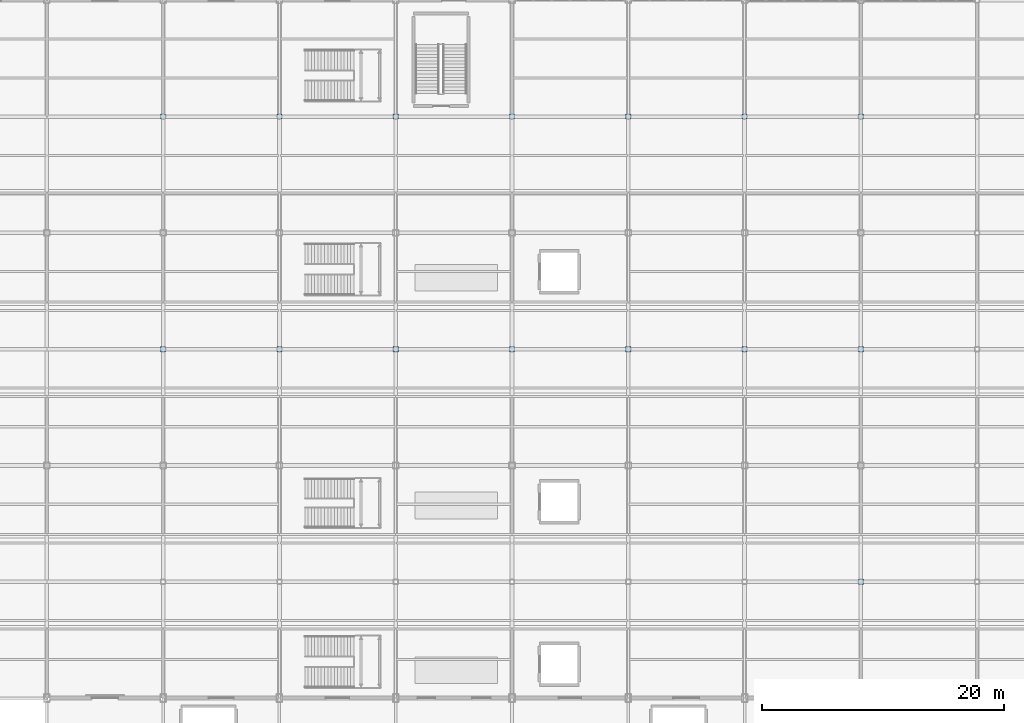
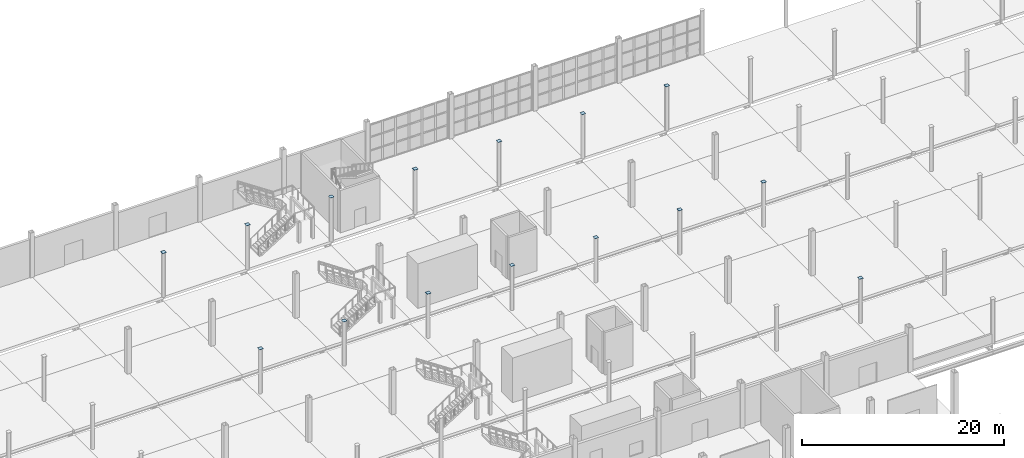
# One storey, part 60 of 85: 15 plates.
"""IFC4 building model written with IfcOpenShell, lengths in metres."""

from ifc_helpers import new_model, si_unit, direction, frame, origin, origin_2d, place, context, subcontext, project, spatial, rectangle, extrude, material, layer, layer_set, type_object, element, save


model = new_model("IFC4")

# Units and contexts
model_context = context("Model", 3, precision=1e-05, world=origin(), true_north=direction((0.0, 1.0)))
body_context = subcontext(model_context, "Body", "Model", "MODEL_VIEW")
ifc_project = project(units=[si_unit("LENGTHUNIT", "METRE"), si_unit("AREAUNIT", "SQUARE_METRE"), si_unit("VOLUMEUNIT", "CUBIC_METRE"), si_unit("PLANEANGLEUNIT", "RADIAN"), si_unit("MASSUNIT", "GRAM", prefix="KILO")], contexts=[model_context])

# Site, building, storey
site_placement = place(None, origin())
site = spatial("IfcSite", under=ifc_project, at=site_placement, CompositionType="ELEMENT")
building_placement = place(site_placement, origin())
building = spatial("IfcBuilding", under=site, at=building_placement, Name="Zarnetskaya Central Station", CompositionType="ELEMENT")
storey_placement = place(building_placement, origin())
storey = spatial("IfcBuildingStorey", under=building, at=storey_placement, Name="L00", CompositionType="ELEMENT", Elevation=0.0)

# Plates
ifc_material = material(Name="Steel S355", Category="steel")
ifc_layer = layer(ifc_material, 0.02392578125, Name="Steel S355", Category="steel")
ifc_layer_set = layer_set([ifc_layer], Name="Steel S355")
plate_type = type_object("IfcPlateType", Name="PL-COL-CAP-EXT", PredefinedType="USERDEFINED", material=ifc_layer_set)
for number, where, z_axis, x_axis, name in (
    (1, (67.199951171875, 96.0, 5.3759765625), (0.0, 0.0, 1.0), (1.0, 0.0, 0.0), "Hollow column sealed end-cap plate 56"),
    (2, (67.199951171875, 115.199951171875, 5.3759765625), (0.0, 0.0, 1.0), (1.0, 0.0, 0.0), "Hollow column sealed end-cap plate 57"),
    (3, (76.800048828125, 96.0, 5.3759765625), (0.0, 0.0, 1.0), (1.0, 0.0, 0.0), "Hollow column sealed end-cap plate 65"),
    (4, (76.800048828125, 115.199951171875, 5.3759765625), (0.0, 0.0, 1.0), (1.0, 0.0, 0.0), "Hollow column sealed end-cap plate 66"),
    (5, (86.39990234375, 96.0, 5.3759765625), (0.0, 0.0, 1.0), (1.0, 0.0, 0.0), "Hollow column sealed end-cap plate 74"),
    (6, (86.39990234375, 115.199951171875, 5.3759765625), (0.0, 0.0, 1.0), (1.0, 0.0, 0.0), "Hollow column sealed end-cap plate 75"),
    (7, (96.0, 96.0, 5.3759765625), (0.0, 0.0, 1.0), (1.0, 0.0, 0.0), "Hollow column sealed end-cap plate 83"),
    (8, (96.0, 115.199951171875, 5.3759765625), (0.0, 0.0, 1.0), (1.0, 0.0, 0.0), "Hollow column sealed end-cap plate 84"),
    (9, (105.60009765625, 96.0, 5.3759765625), (0.0, 0.0, 1.0), (1.0, 0.0, 0.0), "Hollow column sealed end-cap plate 92"),
    (10, (105.60009765625, 115.199951171875, 5.3759765625), (0.0, 0.0, 1.0), (1.0, 0.0, 0.0), "Hollow column sealed end-cap plate 93"),
    (11, (115.199951171875, 96.0, 5.3759765625), (0.0, 0.0, 1.0), (1.0, 0.0, 0.0), "Hollow column sealed end-cap plate 104"),
    (12, (115.199951171875, 115.199951171875, 5.3759765625), (0.0, 0.0, 1.0), (1.0, 0.0, 0.0), "Hollow column sealed end-cap plate 105"),
    (13, (124.800048828125, 76.800048828125, 5.3759765625), (0.0, 0.0, 1.0), (1.0, 0.0, 0.0), "Hollow column sealed end-cap plate 115"),
    (14, (124.800048828125, 96.0, 5.3759765625), (0.0, 0.0, 1.0), (1.0, 0.0, 0.0), "Hollow column sealed end-cap plate 116"),
    (15, (124.800048828125, 115.199951171875, 5.3759765625), (0.0, 0.0, 1.0), (1.0, 0.0, 0.0), "Hollow column sealed end-cap plate 117"),
):
    element("IfcPlate", number, at=place(storey_placement, frame(where, z_axis=z_axis, x_axis=x_axis)), inside=storey, type_object=plate_type, Name=name, ObjectType="END CAP PLATE", PredefinedType="USERDEFINED", context=body_context, shape_type="SweptSolid", body=[
        extrude(rectangle(XDim=0.426513671875, YDim=0.426513671875, at=origin_2d()), origin(), (0.0, 0.0, 1.0), 0.02392578125),
    ])

save(model, "model.ifc")
